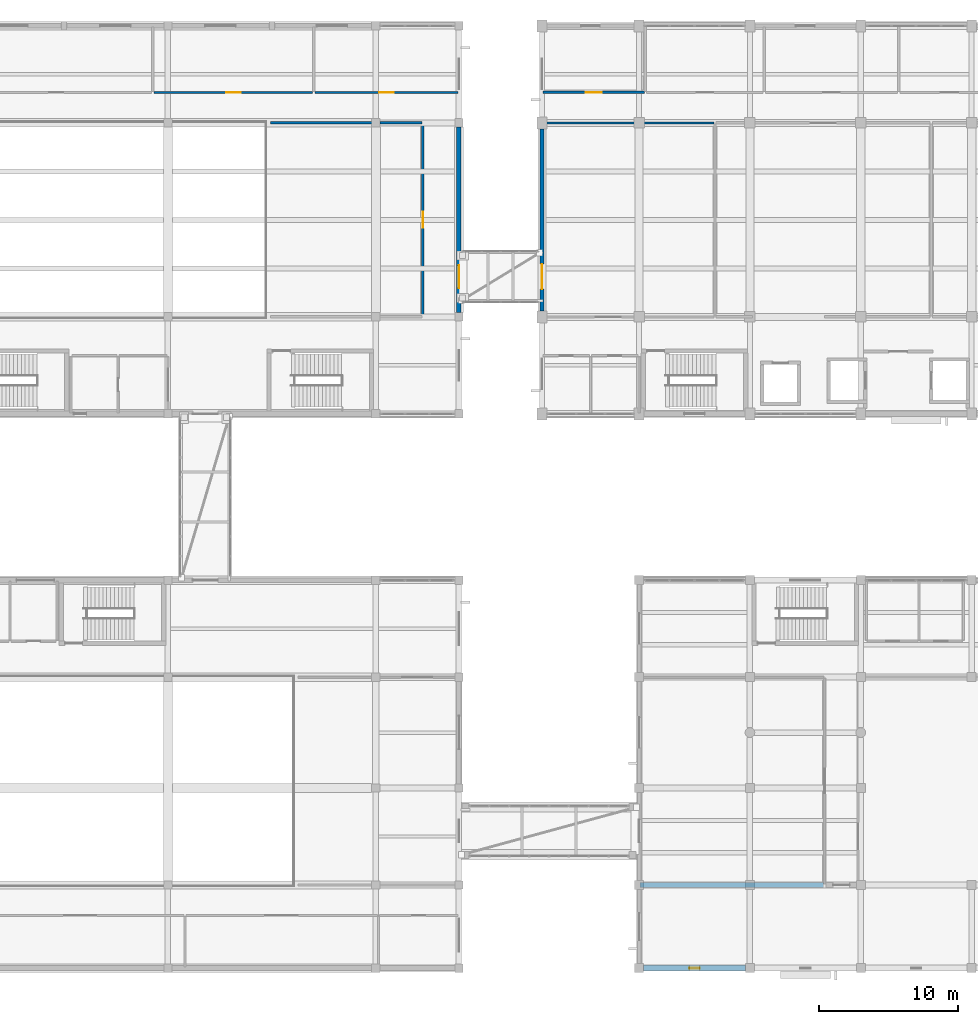
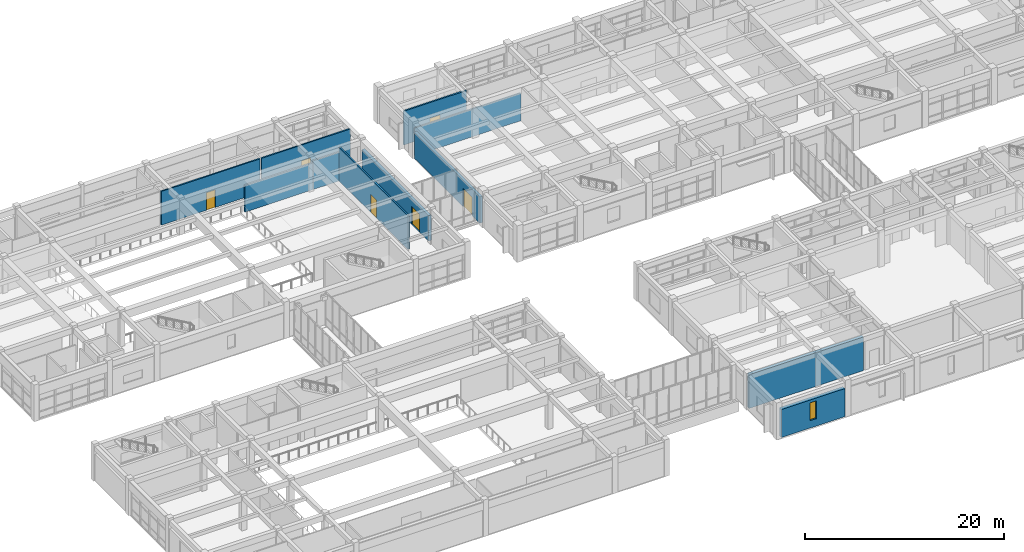
# One storey, part 49 of 72: 11 walls, 6 doors, 1 window, 7 openings.
"""IFC4 building model written with IfcOpenShell, lengths in metres."""

from ifc_helpers import new_model, si_unit, direction, frame, frame_2d, origin, place, context, subcontext, project, spatial, rectangle, extrude, material, layer, layer_set, type_object, element, fill, save


model = new_model("IFC4")

# Units and contexts
model_context = context("Model", 3, precision=1e-05, world=origin(), true_north=direction((0.0, 1.0)))
body_context = subcontext(model_context, "Body", "Model", "MODEL_VIEW")
ifc_project = project(units=[si_unit("LENGTHUNIT", "METRE"), si_unit("AREAUNIT", "SQUARE_METRE"), si_unit("VOLUMEUNIT", "CUBIC_METRE"), si_unit("PLANEANGLEUNIT", "RADIAN"), si_unit("MASSUNIT", "GRAM", prefix="KILO")], contexts=[model_context])

# Site, building, storey
site_placement = place(None, origin())
site = spatial("IfcSite", under=ifc_project, at=site_placement, CompositionType="ELEMENT")
building_placement = place(site_placement, origin())
building = spatial("IfcBuilding", under=site, at=building_placement, Name="Naurynzar Civic Courthouse", CompositionType="ELEMENT")
storey_placement = place(building_placement, frame((0.0, 0.0, 9.89990234375)))
storey = spatial("IfcBuildingStorey", under=building, at=storey_placement, Name="L03", CompositionType="ELEMENT", Elevation=9.89990234375)

# Walls
ifc_material_1 = material(Name="Acoustic Double-Stud Gypsum Partition")
ifc_layer_1 = layer(ifc_material_1, 0.155029296875)
ifc_layer_set_1 = layer_set([ifc_layer_1], Name="WL-ACOUSTIC-155")
wall_type_1 = type_object("IfcWallType", Name="WL-ACOUSTIC-155", PredefinedType="PARTITIONING", material=ifc_layer_set_1)
wall_1_placement = place(storey_placement, frame((62.080078125, 65.0, 0.0), z_axis=(0.0, 0.0, 1.0), x_axis=(1.0, 0.0, 0.0)))
element("IfcWall", 1, at=wall_1_placement, inside=storey, type_object=wall_type_1, Name="V2 interior partition L03.364", PredefinedType="PARTITIONING", context=body_context, shape_type="SweptSolid", body=[
    extrude(rectangle(XDim=12.31982421875, YDim=0.155029296875, at=frame_2d((6.159912109375, 0.0))), origin(), (0.0, 0.0, 1.0), 3.400146484375),
])
ifc_material_2 = material(Name="Concrete C40/50", Category="concrete")
ifc_layer_2 = layer(ifc_material_2, 0.35009765625)
ifc_layer_set_2 = layer_set([ifc_layer_2], Name="WL-CORE-350")
wall_type_2 = type_object("IfcWallType", Name="WL-CORE-350", PredefinedType="SHEAR", material=ifc_layer_set_2)
wall_2_placement = place(storey_placement, frame((69.080078125, 10.0, 0.0), z_axis=(0.0, 0.0, 1.0), x_axis=(1.0, 0.0, 0.0)))
element("IfcWall", 2, at=wall_2_placement, inside=storey, type_object=wall_type_2, Name="V3 interior partition L03.315", PredefinedType="SHEAR", context=body_context, shape_type="SweptSolid", body=[
    extrude(rectangle(XDim=13.239990234375, YDim=0.35009765625, at=frame_2d((6.6201171875, 0.0))), origin(), (0.0, 0.0, 1.0), 4.14013671875),
])

# Wall, opening, door
ifc_material_3 = material(Name="Precast concrete C40/50", Category="concrete")
ifc_layer_3 = layer(ifc_material_3, 0.300048828125)
ifc_layer_set_3 = layer_set([ifc_layer_3], Name="WL-EXT-300")
wall_type_3 = type_object("IfcWallType", Name="WL-EXT-300", PredefinedType="SOLIDWALL", material=ifc_layer_set_3)
wall_3_placement = place(storey_placement, frame((62.0, 51.425048828125, 0.0), z_axis=(0.0, 0.0, 1.0), x_axis=(0.0, 1.0, 0.0)))
wall_3 = element("IfcWall", 3, at=wall_3_placement, inside=storey, type_object=wall_type_3, Name="V2 exterior wall west L03.2.1", PredefinedType="SOLIDWALL", context=body_context, shape_type="SweptSolid", body=[
    extrude(rectangle(XDim=13.14990234375, YDim=0.300048828125, at=frame_2d((6.574951171875, 0.0))), origin(), (0.0, 0.0, 1.0), 3.22998046875),
])
opening_1_placement = place(wall_3_placement, frame((1.574951171875, 0.0, 0.0)))
opening_1 = element("IfcOpeningElement", 4, at=opening_1_placement, cuts=wall_3, Name="Opening BD-11", PredefinedType="OPENING", context=body_context, shape_type="SweptSolid", body=[
    extrude(rectangle(XDim=1.800048828125, YDim=2.25, at=frame_2d((0.89990234375, 1.125))), frame((0.0, 0.159912109375, 0.0), z_axis=(0.0, -1.0, 0.0), x_axis=(1.0, 0.0, 0.0)), (0.0, 0.0, 1.0), 0.320068359375),
])
ifc_material_4 = material(Name="Aluminium 6063-T6", Category="aluminium")
door_type_1 = type_object("IfcDoorType", Name="DR-BRG-1800x2250", OperationType="DOUBLE_DOOR_SINGLE_SWING", PredefinedType="DOOR", material=ifc_material_4)
door_1_placement = place(opening_1_placement, origin())
door_1 = element("IfcDoor", 5, at=door_1_placement, inside=storey, type_object=door_type_1, Name="Seismic bridge fire door BD-11", OperationType="DOUBLE_DOOR_SINGLE_SWING", OverallHeight=2.25, OverallWidth=1.800048828125, PredefinedType="DOOR", context=body_context, shape_type="SweptSolid", body=[
    extrude(rectangle(XDim=1.800048828125, YDim=2.25, at=frame_2d((0.89990234375, 1.125))), frame((0.0, 0.02490234375, 0.0), z_axis=(0.0, -1.0, 0.0), x_axis=(1.0, 0.0, 0.0)), (0.0, 0.0, 1.0), 0.050048828125),
])
fill(opening_1, door_1)

ifc_material_5 = material(Name="Precast concrete C40/50", Category="concrete")
ifc_layer_4 = layer(ifc_material_5, 0.320068359375)
ifc_layer_set_4 = layer_set([ifc_layer_4], Name="WL-EXT-320")
wall_type_4 = type_object("IfcWallType", Name="WL-EXT-320", PredefinedType="SOLIDWALL", material=ifc_layer_set_4)
wall_4_placement = place(storey_placement, frame((56.0, 64.699951171875, 0.0), z_axis=(0.0, 0.0, 1.0), x_axis=(0.0, -1.0, 0.0)))
wall_4 = element("IfcWall", 6, at=wall_4_placement, inside=storey, type_object=wall_type_4, Name="V1 exterior wall east L03.2.1", PredefinedType="SOLIDWALL", context=body_context, shape_type="SweptSolid", body=[
    extrude(rectangle(XDim=13.39990234375, YDim=0.320068359375, at=frame_2d((6.699951171875, 0.0))), origin(), (0.0, 0.0, 1.0), 3.110107421875),
])
opening_2_placement = place(wall_4_placement, frame((9.97509765625, 0.0, 0.0)))
opening_2 = element("IfcOpeningElement", 7, at=opening_2_placement, cuts=wall_4, Name="Opening BD-04", PredefinedType="OPENING", context=body_context, shape_type="SweptSolid", body=[
    extrude(rectangle(XDim=1.64990234375, YDim=2.199951171875, at=frame_2d((0.824951171875, 1.10009765625))), frame((0.0, 0.169921875, 0.0), z_axis=(0.0, -1.0, 0.0), x_axis=(1.0, 0.0, 0.0)), (0.0, 0.0, 1.0), 0.340087890625),
])
ifc_material_6 = material(Name="Aluminium 6063-T6", Category="aluminium")
door_type_2 = type_object("IfcDoorType", Name="DR-BRG-1650x2200", OperationType="DOUBLE_DOOR_SINGLE_SWING", PredefinedType="DOOR", material=ifc_material_6)
door_2_placement = place(opening_2_placement, origin())
door_2 = element("IfcDoor", 8, at=door_2_placement, inside=storey, type_object=door_type_2, Name="Seismic bridge fire door BD-04", OperationType="DOUBLE_DOOR_SINGLE_SWING", OverallHeight=2.199951171875, OverallWidth=1.64990234375, PredefinedType="DOOR", context=body_context, shape_type="SweptSolid", body=[
    extrude(rectangle(XDim=1.64990234375, YDim=2.199951171875, at=frame_2d((0.824951171875, 1.10009765625))), frame((0.0, 0.02490234375, 0.0), z_axis=(0.0, -1.0, 0.0), x_axis=(1.0, 0.0, 0.0)), (0.0, 0.0, 1.0), 0.050048828125),
])
fill(opening_2, door_2)

ifc_material_7 = material(Name="Insulated Metal-Stud Gypsum Partition")
ifc_layer_5 = layer(ifc_material_7, 0.159912109375)
ifc_layer_set_5 = layer_set([ifc_layer_5], Name="WL-PART-CHAMB-160")
wall_type_5 = type_object("IfcWallType", Name="WL-PART-CHAMB-160", PredefinedType="PARTITIONING", material=ifc_layer_set_5)
wall_5_placement = place(storey_placement, frame((33.989990234375, 67.199951171875, 0.0), z_axis=(0.0, 0.0, 1.0), x_axis=(1.0, 0.0, 0.0)))
wall_5 = element("IfcWall", 9, at=wall_5_placement, inside=storey, type_object=wall_type_5, Name="V1 interior partition L03.375", PredefinedType="PARTITIONING", context=body_context, shape_type="SweptSolid", body=[
    extrude(rectangle(XDim=11.4599609375, YDim=0.159912109375, at=frame_2d((5.72998046875, 0.0))), origin(), (0.0, 0.0, 1.0), 4.14013671875),
])
opening_3_placement = place(wall_5_placement, frame((5.2099609375, 0.0, 0.0)))
opening_3 = element("IfcOpeningElement", 10, at=opening_3_placement, cuts=wall_5, Name="Opening D-037", PredefinedType="OPENING", context=body_context, shape_type="SweptSolid", body=[
    extrude(rectangle(XDim=1.0400390625, YDim=2.14990234375, at=frame_2d((0.52001953125, 1.074951171875))), frame((0.0, 0.08984375, 0.0), z_axis=(0.0, -1.0, 0.0), x_axis=(1.0, 0.0, 0.0)), (0.0, 0.0, 1.0), 0.179931640625),
])
ifc_material_8 = material(Name="Acoustic Oak Timber Grade A", Category="wood")
door_type_3 = type_object("IfcDoorType", Name="DR-SUITE-1040x2150", OperationType="NOTDEFINED", PredefinedType="DOOR", material=ifc_material_8)
door_3_placement = place(opening_3_placement, origin())
door_3 = element("IfcDoor", 11, at=door_3_placement, inside=storey, type_object=door_type_3, Name="Interior door D-037 (Advocates' Consultation Room)", OperationType="SINGLE_SWING_LEFT", OverallHeight=2.14990234375, OverallWidth=1.0400390625, PredefinedType="DOOR", context=body_context, shape_type="SweptSolid", body=[
    extrude(rectangle(XDim=1.0400390625, YDim=2.14990234375, at=frame_2d((0.52001953125, 1.074951171875))), frame((0.0, 0.02490234375, 0.0), z_axis=(0.0, -1.0, 0.0), x_axis=(1.0, 0.0, 0.0)), (0.0, 0.0, 1.0), 0.050048828125),
])
fill(opening_3, door_3)

wall_6_placement = place(storey_placement, frame((45.610107421875, 67.199951171875, 0.0), z_axis=(0.0, 0.0, 1.0), x_axis=(1.0, 0.0, 0.0)))
wall_6 = element("IfcWall", 12, at=wall_6_placement, inside=storey, type_object=wall_type_5, Name="V1 interior partition L03.376", PredefinedType="PARTITIONING", context=body_context, shape_type="SweptSolid", body=[
    extrude(rectangle(XDim=10.309814453125, YDim=0.159912109375, at=frame_2d((5.15478515625, 0.0))), origin(), (0.0, 0.0, 1.0), 4.14013671875),
])
opening_4_placement = place(wall_6_placement, frame((4.625, 0.0, 0.0)))
opening_4 = element("IfcOpeningElement", 13, at=opening_4_placement, cuts=wall_6, Name="Opening D-038", PredefinedType="OPENING", context=body_context, shape_type="SweptSolid", body=[
    extrude(rectangle(XDim=1.06005859375, YDim=2.199951171875, at=frame_2d((0.530029296875, 1.10009765625))), frame((0.0, 0.08984375, 0.0), z_axis=(0.0, -1.0, 0.0), x_axis=(1.0, 0.0, 0.0)), (0.0, 0.0, 1.0), 0.179931640625),
])
ifc_material_9 = material(Name="Acoustic Oak Timber Grade A", Category="wood")
door_type_4 = type_object("IfcDoorType", Name="DR-SUITE-1060x2200", OperationType="NOTDEFINED", PredefinedType="DOOR", material=ifc_material_9)
door_4_placement = place(opening_4_placement, origin())
door_4 = element("IfcDoor", 14, at=door_4_placement, inside=storey, type_object=door_type_4, Name="Interior door D-038 (Court Reporters' Suite)", OperationType="SINGLE_SWING_RIGHT", OverallHeight=2.199951171875, OverallWidth=1.06005859375, PredefinedType="DOOR", context=body_context, shape_type="SweptSolid", body=[
    extrude(rectangle(XDim=1.06005859375, YDim=2.199951171875, at=frame_2d((0.530029296875, 1.10009765625))), frame((0.0, 0.02490234375, 0.0), z_axis=(0.0, -1.0, 0.0), x_axis=(1.0, 0.0, 0.0)), (0.0, 0.0, 1.0), 0.050048828125),
])
fill(opening_4, door_4)

# Walls
ifc_material_10 = material(Name="Acoustic Double-Stud Gypsum Partition")
ifc_layer_6 = layer(ifc_material_10, 0.179931640625)
ifc_layer_set_6 = layer_set([ifc_layer_6], Name="WL-PART-JURY-180")
wall_type_6 = type_object("IfcWallType", Name="WL-PART-JURY-180", PredefinedType="PARTITIONING", material=ifc_layer_set_6)
wall_7_placement = place(storey_placement, frame((42.39990234375, 65.0, 0.0), z_axis=(0.0, 0.0, 1.0), x_axis=(1.0, 0.0, 0.0)))
element("IfcWall", 15, at=wall_7_placement, inside=storey, type_object=wall_type_6, Name="V1 interior partition L03.363a", PredefinedType="PARTITIONING", context=body_context, shape_type="SweptSolid", body=[
    extrude(rectangle(XDim=7.900146484375, YDim=0.179931640625, at=frame_2d((3.9501953125, 0.0))), origin(), (0.0, 0.0, 1.0), 3.280029296875),
])
wall_8_placement = place(storey_placement, frame((50.300048828125, 65.0, 0.0), z_axis=(0.0, 0.0, 1.0), x_axis=(1.0, 0.0, 0.0)))
element("IfcWall", 16, at=wall_8_placement, inside=storey, type_object=wall_type_6, Name="V1 interior partition L03.363ab", PredefinedType="PARTITIONING", context=body_context, shape_type="SweptSolid", body=[
    extrude(rectangle(XDim=3.02001953125, YDim=0.179931640625, at=frame_2d((1.510009765625, 0.0))), origin(), (0.0, 0.0, 1.0), 3.530029296875),
])

# Wall, opening, door
wall_9_placement = place(storey_placement, frame((62.080078125, 67.199951171875, 0.0), z_axis=(0.0, 0.0, 1.0), x_axis=(1.0, 0.0, 0.0)))
wall_9 = element("IfcWall", 17, at=wall_9_placement, inside=storey, type_object=wall_type_6, Name="V2 interior partition L03.377", PredefinedType="PARTITIONING", context=body_context, shape_type="SweptSolid", body=[
    extrude(rectangle(XDim=7.2998046875, YDim=0.179931640625, at=frame_2d((3.64990234375, 0.0))), origin(), (0.0, 0.0, 1.0), 4.14013671875),
])
opening_5_placement = place(wall_9_placement, frame((3.074951171875, 0.0, 0.0)))
opening_5 = element("IfcOpeningElement", 18, at=opening_5_placement, cuts=wall_9, Name="Opening D-133", PredefinedType="OPENING", context=body_context, shape_type="SweptSolid", body=[
    extrude(rectangle(XDim=1.14990234375, YDim=2.199951171875, at=frame_2d((0.574951171875, 1.10009765625))), frame((0.0, 0.099853515625, 0.0), z_axis=(0.0, -1.0, 0.0), x_axis=(1.0, 0.0, 0.0)), (0.0, 0.0, 1.0), 0.199951171875),
])
ifc_material_11 = material(Name="Acoustic Oak Timber Grade A", Category="wood")
door_type_5 = type_object("IfcDoorType", Name="DR-JURY-1150x2200", OperationType="NOTDEFINED", PredefinedType="DOOR", material=ifc_material_11)
door_5_placement = place(opening_5_placement, origin())
door_5 = element("IfcDoor", 19, at=door_5_placement, inside=storey, type_object=door_type_5, Name="Interior door D-133 (Jury Room L03-N)", OperationType="SINGLE_SWING_LEFT", OverallHeight=2.199951171875, OverallWidth=1.14990234375, PredefinedType="DOOR", context=body_context, shape_type="SweptSolid", body=[
    extrude(rectangle(XDim=1.14990234375, YDim=2.199951171875, at=frame_2d((0.574951171875, 1.10009765625))), frame((0.0, 0.02490234375, 0.0), z_axis=(0.0, -1.0, 0.0), x_axis=(1.0, 0.0, 0.0)), (0.0, 0.0, 1.0), 0.050048828125),
])
fill(opening_5, door_5)

wall_10_placement = place(storey_placement, frame((53.39990234375, 51.080078125, 0.0), z_axis=(0.0, 0.0, 1.0), x_axis=(0.0, 1.0, 0.0)))
wall_10 = element("IfcWall", 20, at=wall_10_placement, inside=storey, type_object=wall_type_6, Name="V1 interior partition L03.398", PredefinedType="PARTITIONING", context=body_context, shape_type="SweptSolid", body=[
    extrude(rectangle(XDim=13.83984375, YDim=0.179931640625, at=frame_2d((6.919921875, 0.0))), origin(), (0.0, 0.0, 1.0), 4.14013671875),
])
opening_6_placement = place(wall_10_placement, frame((6.344970703125, 0.0, 0.0)))
opening_6 = element("IfcOpeningElement", 21, at=opening_6_placement, cuts=wall_10, Name="Opening D-034", PredefinedType="OPENING", context=body_context, shape_type="SweptSolid", body=[
    extrude(rectangle(XDim=1.14990234375, YDim=2.199951171875, at=frame_2d((0.574951171875, 1.10009765625))), frame((0.0, 0.099853515625, 0.0), z_axis=(0.0, -1.0, 0.0), x_axis=(1.0, 0.0, 0.0)), (0.0, 0.0, 1.0), 0.199951171875),
])
door_6_placement = place(opening_6_placement, origin())
door_6 = element("IfcDoor", 22, at=door_6_placement, inside=storey, type_object=door_type_5, Name="Interior door D-034 (Constitutional Seminar Hall)", OperationType="SINGLE_SWING_RIGHT", OverallHeight=2.199951171875, OverallWidth=1.14990234375, PredefinedType="DOOR", context=body_context, shape_type="SweptSolid", body=[
    extrude(rectangle(XDim=1.14990234375, YDim=2.199951171875, at=frame_2d((0.574951171875, 1.10009765625))), frame((0.0, 0.02490234375, 0.0), z_axis=(0.0, -1.0, 0.0), x_axis=(1.0, 0.0, 0.0)), (0.0, 0.0, 1.0), 0.050048828125),
])
fill(opening_6, door_6)

# Wall, opening, window
ifc_material_12 = material(Name="Concrete C40/50", Category="concrete")
ifc_layer_7 = layer(ifc_material_12, 0.419921875)
ifc_layer_set_7 = layer_set([ifc_layer_7], Name="WL-STACK-420")
wall_type_7 = type_object("IfcWallType", Name="WL-STACK-420", PredefinedType="SOLIDWALL", material=ifc_layer_set_7)
wall_11_placement = place(storey_placement, frame((76.675048828125, 4.0, 0.0), z_axis=(0.0, 0.0, 1.0), x_axis=(-1.0, 0.0, 0.0)))
wall_11 = element("IfcWall", 23, at=wall_11_placement, inside=storey, type_object=wall_type_7, Name="V3 exterior wall south L03.6.1", PredefinedType="SOLIDWALL", context=body_context, shape_type="SweptSolid", body=[
    extrude(rectangle(XDim=7.35009765625, YDim=0.419921875, at=frame_2d((3.675048828125, 0.0))), origin(), (0.0, 0.0, 1.0), 3.440185546875),
])
opening_7_placement = place(wall_11_placement, frame((3.300048828125, 0.0, 0.89990234375)))
opening_7 = element("IfcOpeningElement", 24, at=opening_7_placement, cuts=wall_11, Name="Opening WN-09", PredefinedType="OPENING", context=body_context, shape_type="SweptSolid", body=[
    extrude(rectangle(XDim=0.75, YDim=2.199951171875, at=frame_2d((0.375, 1.10009765625))), frame((0.0, 0.219970703125, 0.0), z_axis=(0.0, -1.0, 0.0), x_axis=(1.0, 0.0, 0.0)), (0.0, 0.0, 1.0), 0.43994140625),
])
ifc_material_13 = material(Name="Tempered Laminated Low-E Glass", Category="glass")
window_type = type_object("IfcWindowType", Name="WIN-LIB-SLOT-750x2200", PartitioningType="SINGLE_PANEL", PredefinedType="WINDOW", material=ifc_material_13)
window_placement = place(opening_7_placement, origin())
window = element("IfcWindow", 25, at=window_placement, inside=storey, type_object=window_type, Name="V3 window 177 L03", OverallHeight=2.199951171875, OverallWidth=0.75, PartitioningType="SINGLE_PANEL", PredefinedType="WINDOW", context=body_context, shape_type="SweptSolid", body=[
    extrude(rectangle(XDim=0.75, YDim=2.199951171875, at=frame_2d((0.375, 1.10009765625))), frame((0.0, 0.030029296875, 0.0), z_axis=(0.0, -1.0, 0.0), x_axis=(1.0, 0.0, 0.0)), (0.0, 0.0, 1.0), 0.06005859375),
])
fill(opening_7, window)

save(model, "model.ifc")
